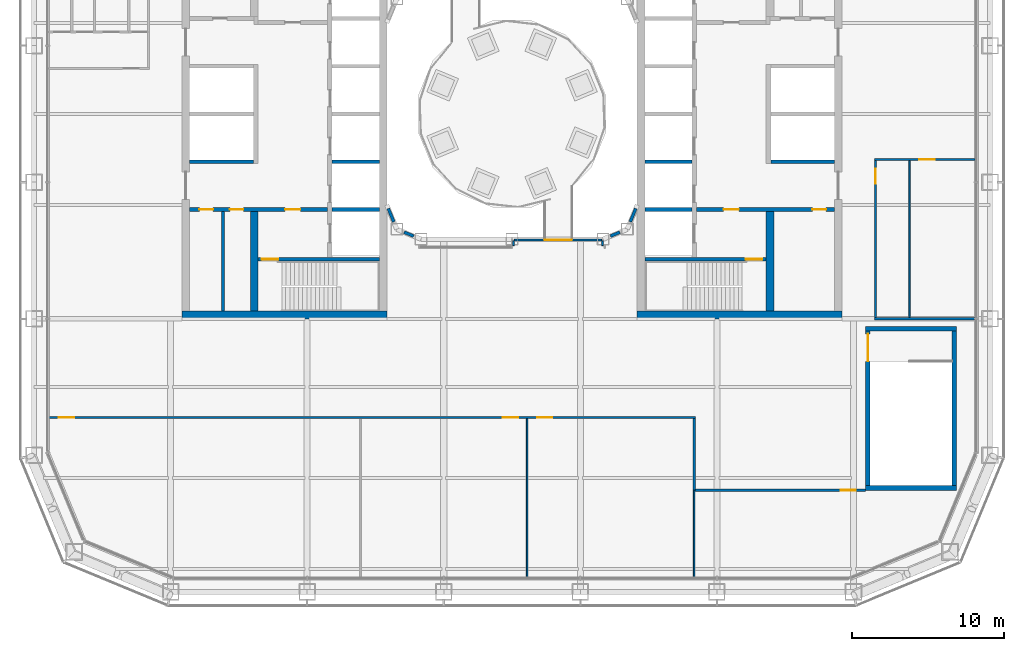
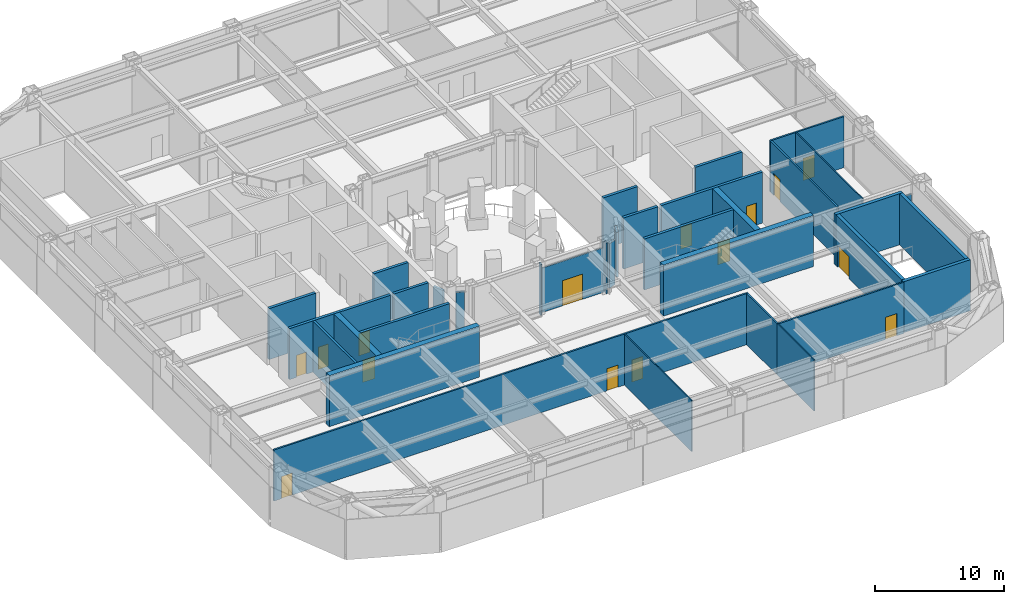
# One storey, part 12 of 25: 35 walls, 15 doors, 15 openings.
"""IFC4 building model written with IfcOpenShell, lengths in metres."""

import ifcopenshell
import ifcopenshell.guid

model = None  # the IFC model being written
_history = None  # IfcOwnerHistory: only IFC2X3 demands one
_inside = {}  # id of a spatial element -> (the spatial element, [elements in it])
_under = {}  # id of a project, library or spatial element -> (it, [spatial elements below it])
_declared = {}  # id of a project -> (the project, [libraries it declares])
_typed = {}  # id of a type object -> (the type object, [elements of that type])
_made_of = {}  # id of a material, layer set ... -> (it, [elements and type objects made of it])


def new_model(schema):
    """Start an empty IFC model of exactly this schema.

    Asked for "IFC4X3", IfcOpenShell would pick the latest addendum, in which some entities
    have other attributes; the version numbers below select the first issue.
    IFC2X3 requires an IfcOwnerHistory on every rooted entity: one is made here for all.
    """
    global model, _history
    if schema == "IFC4X3":
        model = ifcopenshell.file(schema_version=(4, 3, 0, 0))
    else:
        model = ifcopenshell.file(schema=schema)
    _inside.clear()
    _under.clear()
    _declared.clear()
    _typed.clear()
    _made_of.clear()
    _history = None
    if model.schema == "IFC2X3":
        org = make("IfcOrganization", Name="unknown")
        user = make(
            "IfcPersonAndOrganization",
            ThePerson=make("IfcPerson", FamilyName="unknown"),
            TheOrganization=org,
        )
        app = make(
            "IfcApplication",
            ApplicationDeveloper=org,
            Version="unknown",
            ApplicationFullName="unknown",
            ApplicationIdentifier="unknown",
        )
        _history = make(
            "IfcOwnerHistory",
            OwningUser=user,
            OwningApplication=app,
            ChangeAction="ADDED",
            CreationDate=0,
        )
    return model


def make(cls, **values):
    """One entity of the class cls with the attributes given. An attribute that is None is left unset."""
    return model.create_entity(
        cls, **{name: value for name, value in values.items() if value is not None}
    )


def rooted(cls, **values):
    """An entity with a GlobalId (a new one), such as an element, a storey or a relation."""
    return make(cls, GlobalId=ifcopenshell.guid.new(), OwnerHistory=_history, **values)


def si_unit(unit_type, name, prefix=None):
    """IfcSIUnit, for example si_unit("LENGTHUNIT", "METRE", prefix="MILLI")."""
    return make("IfcSIUnit", UnitType=unit_type, Prefix=prefix, Name=name)


def assignment(units):
    """IfcUnitAssignment: the units of a project."""
    return None if units is None else make("IfcUnitAssignment", Units=units)


def point(xyz):
    """IfcCartesianPoint."""
    return None if xyz is None else make("IfcCartesianPoint", Coordinates=xyz)


def direction(xyz):
    """IfcDirection."""
    return None if xyz is None else make("IfcDirection", DirectionRatios=xyz)


def frame(location, z_axis=None, x_axis=None):
    """IfcAxis2Placement3D, a coordinate frame: its origin and axes. An axis left out is left unset."""
    return make(
        "IfcAxis2Placement3D",
        Location=point(location),
        Axis=direction(z_axis),
        RefDirection=direction(x_axis),
    )


def frame_2d(location, x_axis=None):
    """IfcAxis2Placement2D, a coordinate frame in the plane: its origin and x axis."""
    return make(
        "IfcAxis2Placement2D", Location=point(location), RefDirection=direction(x_axis)
    )


def origin():
    """The frame at (0, 0, 0) with its axes left unset."""
    return frame((0.0, 0.0, 0.0))


def place(relative_to, where):
    """IfcLocalPlacement: puts the frame where relative to a parent placement (None: the world)."""
    return make(
        "IfcLocalPlacement", PlacementRelTo=relative_to, RelativePlacement=where
    )


def context(
    kind, dimensions, precision=None, world=None, true_north=None, identifier=None
):
    """IfcGeometricRepresentationContext, for example the 3D "Model" context."""
    return make(
        "IfcGeometricRepresentationContext",
        ContextIdentifier=identifier,
        ContextType=kind,
        CoordinateSpaceDimension=dimensions,
        Precision=precision,
        WorldCoordinateSystem=world,
        TrueNorth=true_north,
    )


def subcontext(parent, identifier, kind, view, scale=None):
    """IfcGeometricRepresentationSubContext, for example "Body" below "Model"."""
    return make(
        "IfcGeometricRepresentationSubContext",
        ContextIdentifier=identifier,
        ContextType=kind,
        ParentContext=parent,
        TargetScale=scale,
        TargetView=view,
    )


def project(units=None, contexts=None):
    """IfcProject with its units and contexts."""
    return rooted(
        "IfcProject",
        Name="project",
        RepresentationContexts=contexts,
        UnitsInContext=assignment(units),
    )


def spatial(cls, under=None, at=None, **own):
    """A site, building, storey or space (cls), placed at a placement, below another one or the project."""
    s = rooted(cls, ObjectPlacement=at, **own)
    if under is not None:
        _under.setdefault(under.id(), (under, []))[1].append(s)
    return s


def profile(cls, at=None, kind="AREA", **sizes):
    """A parametric profile (cls). Its sizes go by their IFC names, for example OverallWidth=200.0."""
    return make(cls, ProfileType=kind, Position=at, **sizes)


def rectangle(**sizes):
    """IfcRectangleProfileDef."""
    return profile("IfcRectangleProfileDef", **sizes)


def extrude(swept, where, along, depth):
    """IfcExtrudedAreaSolid: the profile swept, set in the frame where, extruded along a direction by depth."""
    return make(
        "IfcExtrudedAreaSolid",
        SweptArea=swept,
        Position=where,
        ExtrudedDirection=direction(along),
        Depth=depth,
    )


def shape(context_of_items, identifier, shape_type, items):
    """IfcShapeRepresentation: the items that make up one representation, for example the "Body"."""
    return make(
        "IfcShapeRepresentation",
        ContextOfItems=context_of_items,
        RepresentationIdentifier=identifier,
        RepresentationType=shape_type,
        Items=items,
    )


def material(Name=None, Category=None):
    """IfcMaterial."""
    return make("IfcMaterial", Name=Name, Category=Category)


def layer(
    of_material, thickness, ventilated=None, Name=None, Category=None, Priority=None
):
    """IfcMaterialLayer: one layer of a wall or slab, of a material (None: an air gap)."""
    return make(
        "IfcMaterialLayer",
        Material=of_material,
        LayerThickness=thickness,
        IsVentilated=ventilated,
        Name=Name,
        Category=Category,
        Priority=Priority,
    )


def layer_set(layers, Name=None):
    """IfcMaterialLayerSet."""
    return make("IfcMaterialLayerSet", MaterialLayers=layers, LayerSetName=Name)


def made_of(thing, what):
    """Note that an element or type object is made of a material, layer set ...; save() writes the relation."""
    if what is not None:
        _made_of.setdefault(what.id(), (what, []))[1].append(thing)
    return thing


def type_object(cls, material=None, **own):
    """A type object (cls), such as IfcWallType, which elements share."""
    return made_of(rooted(cls, **own), material)


def element(
    cls,
    number,
    at=None,
    inside=None,
    cuts=None,
    type_object=None,
    material=None,
    context=None,
    identifier="Body",
    shape_type=None,
    held_by="IfcProductDefinitionShape",
    body=None,
    shapes=None,
    **own,
):
    """One element of the class cls, such as IfcWall. Its Tag is "e" and its number.

    at: its placement. inside: the storey or other place that contains it. cuts: it is an
    opening in that element (IfcRelVoidsElement). A single representation is given by context,
    identifier, shape_type and body (its items); several are given by shapes. held_by: the class
    of the entity that holds the representations. save() writes the other relations.
    """
    e = rooted(cls, Tag="e%d" % number, ObjectPlacement=at, **own)
    if body is not None:
        shapes = [shape(context, identifier, shape_type, body)]
    if shapes is not None:
        e.Representation = make(held_by, Representations=shapes)
    if inside is not None:
        _inside.setdefault(inside.id(), (inside, []))[1].append(e)
    if cuts is not None:
        rooted(
            "IfcRelVoidsElement", RelatingBuildingElement=cuts, RelatedOpeningElement=e
        )
    if type_object is not None:
        _typed.setdefault(type_object.id(), (type_object, []))[1].append(e)
    return made_of(e, material)


def fill(opening, filler):
    """IfcRelFillsElement: the door or window that sits in an opening."""
    return rooted(
        "IfcRelFillsElement",
        RelatingOpeningElement=opening,
        RelatedBuildingElement=filler,
    )


def aggregate(whole, parts):
    """IfcRelAggregates: a whole, such as a stair, and the parts it consists of."""
    return rooted("IfcRelAggregates", RelatingObject=whole, RelatedObjects=parts)


def save(model, path):
    """Write the relations noted so far, then the file.

    IfcRelAggregates (storeys below a building ...), IfcRelContainedInSpatialStructure (elements
    in a storey), IfcRelDefinesByType, IfcRelAssociatesMaterial and IfcRelDeclares: one each for
    every whole, place, type object, material and project.
    """
    for whole, parts in _under.values():
        aggregate(whole, parts)
    for where, things in _inside.values():
        rooted(
            "IfcRelContainedInSpatialStructure",
            RelatedElements=things,
            RelatingStructure=where,
        )
    for kind, things in _typed.values():
        rooted("IfcRelDefinesByType", RelatedObjects=things, RelatingType=kind)
    for what, things in _made_of.values():
        rooted("IfcRelAssociatesMaterial", RelatedObjects=things, RelatingMaterial=what)
    for by, libraries in _declared.values():
        rooted("IfcRelDeclares", RelatingContext=by, RelatedDefinitions=libraries)
    model.write(path)


model = new_model("IFC4")

# Units and contexts
model_context = context("Model", 3, precision=1e-05, world=origin(), true_north=direction((0.0, 1.0)))
body_context = subcontext(model_context, "Body", "Model", "MODEL_VIEW")
ifc_project = project(units=[si_unit("LENGTHUNIT", "METRE"), si_unit("AREAUNIT", "SQUARE_METRE"), si_unit("VOLUMEUNIT", "CUBIC_METRE"), si_unit("PLANEANGLEUNIT", "RADIAN"), si_unit("MASSUNIT", "GRAM", prefix="KILO")], contexts=[model_context])

# Site, building, storey
site_placement = place(None, origin())
site = spatial("IfcSite", under=ifc_project, at=site_placement, CompositionType="ELEMENT")
building_placement = place(site_placement, origin())
building = spatial("IfcBuilding", under=site, at=building_placement, Name="Siwar Civic Tower", CompositionType="ELEMENT")
storey_placement = place(building_placement, frame((0.0, 0.0, 17.199951171875)))
storey = spatial("IfcBuildingStorey", under=building, at=storey_placement, Name="L03", CompositionType="ELEMENT", Elevation=17.199951171875)

# Wall
ifc_material_1 = material(Name="Gypsum board on steel studs", Category="steel")
ifc_layer_1 = layer(ifc_material_1, 0.199951171875)
ifc_layer_set_1 = layer_set([ifc_layer_1], Name="Gypsum board on steel studs")
wall_type_1 = type_object("IfcWallType", Name="CORE-PARTITION-200", PredefinedType="PARTITIONING", material=ifc_layer_set_1)
wall_1_placement = place(storey_placement, frame((-19.050048828125, -13.0, 0.0), z_axis=(0.0, 0.0, 1.0), x_axis=(0.0, 1.0, 0.0)))
element("IfcWall", 1, at=wall_1_placement, inside=storey, type_object=wall_type_1, Name="Core partition W", PredefinedType="PARTITIONING", context=body_context, shape_type="SweptSolid", body=[
    extrude(rectangle(XDim=6.574951171875, YDim=0.199951171875, at=frame_2d((3.28759765625, 0.0))), origin(), (0.0, 0.0, 1.0), 4.85009765625),
])

# Wall, openings, doors
ifc_material_2 = material(Name="Concrete C60/75", Category="concrete")
ifc_layer_2 = layer(ifc_material_2, 0.25)
ifc_layer_set_2 = layer_set([ifc_layer_2], Name="Concrete C60/75")
wall_type_2 = type_object("IfcWallType", Name="CORE-WALL-RC250", PredefinedType="SHEAR", material=ifc_layer_set_2)
wall_2_placement = place(storey_placement, frame((-12.14990234375, -6.300048828125, 0.0), z_axis=(0.0, 0.0, 1.0), x_axis=(-1.0, 0.0, 0.0)))
wall_2 = element("IfcWall", 2, at=wall_2_placement, inside=storey, type_object=wall_type_2, Name="Core wall W", PredefinedType="SHEAR", context=body_context, shape_type="SweptSolid", body=[
    extrude(rectangle(XDim=9.10009765625, YDim=0.25, at=frame_2d((4.550048828125, 0.0))), origin(), (0.0, 0.0, 1.0), 4.85009765625),
])
opening_1_placement = place(wall_2_placement, frame((1.800048828125, 0.0, 0.0)))
opening_1 = element("IfcOpeningElement", 3, at=opening_1_placement, cuts=wall_2, Name="Opening L03-CW02", PredefinedType="OPENING", context=body_context, shape_type="SweptSolid", body=[
    extrude(rectangle(XDim=1.0, YDim=2.10009765625, at=frame_2d((0.5, 1.050048828125))), frame((0.0, 0.135009765625, 0.0), z_axis=(0.0, -1.0, 0.0), x_axis=(1.0, 0.0, 0.0)), (0.0, 0.0, 1.0), 0.27001953125),
])
opening_2_placement = place(wall_2_placement, frame((5.550048828125, 0.0, 0.0)))
opening_2 = element("IfcOpeningElement", 4, at=opening_2_placement, cuts=wall_2, Name="Opening L03-CW15", PredefinedType="OPENING", context=body_context, shape_type="SweptSolid", body=[
    extrude(rectangle(XDim=0.89990234375, YDim=2.10009765625, at=frame_2d((0.449951171875, 1.050048828125))), frame((0.0, 0.135009765625, 0.0), z_axis=(0.0, -1.0, 0.0), x_axis=(1.0, 0.0, 0.0)), (0.0, 0.0, 1.0), 0.27001953125),
])
opening_3_placement = place(wall_2_placement, frame((7.550048828125, 0.0, 0.0)))
opening_3 = element("IfcOpeningElement", 5, at=opening_3_placement, cuts=wall_2, Name="Opening L03-CW16", PredefinedType="OPENING", context=body_context, shape_type="SweptSolid", body=[
    extrude(rectangle(XDim=0.89990234375, YDim=2.10009765625, at=frame_2d((0.449951171875, 1.050048828125))), frame((0.0, 0.135009765625, 0.0), z_axis=(0.0, -1.0, 0.0), x_axis=(1.0, 0.0, 0.0)), (0.0, 0.0, 1.0), 0.27001953125),
])
ifc_material_3 = material(Name="Steel door leaf", Category="steel")
door_type_1 = type_object("IfcDoorType", Name="CORE-DOOR-FD30S", OperationType="SINGLE_SWING_LEFT", PredefinedType="DOOR", material=ifc_material_3)
door_1_placement = place(opening_1_placement, origin())
door_1 = element("IfcDoor", 6, at=door_1_placement, inside=storey, type_object=door_type_1, Name="Service lobby door L03-CW02", OperationType="SINGLE_SWING_RIGHT", OverallHeight=2.10009765625, OverallWidth=1.0, PredefinedType="DOOR", context=body_context, shape_type="SweptSolid", body=[
    extrude(rectangle(XDim=1.0, YDim=2.10009765625, at=frame_2d((0.5, 1.050048828125))), frame((0.0, 0.02490234375, 0.0), z_axis=(0.0, -1.0, 0.0), x_axis=(1.0, 0.0, 0.0)), (0.0, 0.0, 1.0), 0.050048828125),
])
fill(opening_1, door_1)
ifc_material_4 = material(Name="Steel door leaf", Category="steel")
door_type_2 = type_object("IfcDoorType", Name="CORE-DOOR-ROOM", OperationType="SINGLE_SWING_LEFT", PredefinedType="DOOR", material=ifc_material_4)
door_2_placement = place(opening_2_placement, origin())
door_2 = element("IfcDoor", 7, at=door_2_placement, inside=storey, type_object=door_type_2, Name="Core room door L03-CW15", OperationType="SINGLE_SWING_LEFT", OverallHeight=2.10009765625, OverallWidth=0.89990234375, PredefinedType="DOOR", context=body_context, shape_type="SweptSolid", body=[
    extrude(rectangle(XDim=0.89990234375, YDim=2.10009765625, at=frame_2d((0.449951171875, 1.050048828125))), frame((0.0, 0.02490234375, 0.0), z_axis=(0.0, -1.0, 0.0), x_axis=(1.0, 0.0, 0.0)), (0.0, 0.0, 1.0), 0.050048828125),
])
fill(opening_2, door_2)
door_3_placement = place(opening_3_placement, origin())
door_3 = element("IfcDoor", 8, at=door_3_placement, inside=storey, type_object=door_type_2, Name="Core room door L03-CW16", OperationType="SINGLE_SWING_RIGHT", OverallHeight=2.10009765625, OverallWidth=0.89990234375, PredefinedType="DOOR", context=body_context, shape_type="SweptSolid", body=[
    extrude(rectangle(XDim=0.89990234375, YDim=2.10009765625, at=frame_2d((0.449951171875, 1.050048828125))), frame((0.0, 0.02490234375, 0.0), z_axis=(0.0, -1.0, 0.0), x_axis=(1.0, 0.0, 0.0)), (0.0, 0.0, 1.0), 0.050048828125),
])
fill(opening_3, door_3)

# Walls
wall_3_placement = place(storey_placement, frame((-17.050048828125, -3.14990234375, 0.0), z_axis=(0.0, 0.0, 1.0), x_axis=(-1.0, 0.0, 0.0)))
element("IfcWall", 9, at=wall_3_placement, inside=storey, type_object=wall_type_2, Name="Core wall W", PredefinedType="SHEAR", context=body_context, shape_type="SweptSolid", body=[
    extrude(rectangle(XDim=4.199951171875, YDim=0.25, at=frame_2d((2.10009765625, 0.0))), origin(), (0.0, 0.0, 1.0), 4.85009765625),
])
for number, where, z_axis, x_axis, name in (
    (10, (-8.75, -3.14990234375, 0.0), (0.0, 0.0, 1.0), (-1.0, 0.0, 0.0), "Core wall W"),
    (11, (-8.75, -6.300048828125, 0.0), (0.0, 0.0, 1.0), (-1.0, 0.0, 0.0), "Core wall W"),
):
    element("IfcWall", number, at=place(storey_placement, frame(where, z_axis=z_axis, x_axis=x_axis)), inside=storey, type_object=wall_type_2, Name=name, PredefinedType="SHEAR", context=body_context, shape_type="SweptSolid", body=[
        extrude(rectangle(XDim=3.10009765625, YDim=0.25, at=frame_2d((1.550048828125, 0.0))), origin(), (0.0, 0.0, 1.0), 4.85009765625),
    ])

# Wall, opening, door
wall_4_placement = place(storey_placement, frame((-8.75, -9.574951171875, 0.0), z_axis=(0.0, 0.0, 1.0), x_axis=(-1.0, 0.0, 0.0)))
wall_4 = element("IfcWall", 12, at=wall_4_placement, inside=storey, type_object=wall_type_2, Name="Core wall W", PredefinedType="SHEAR", context=body_context, shape_type="SweptSolid", body=[
    extrude(rectangle(XDim=8.0, YDim=0.25, at=frame_2d((4.0, 0.0))), origin(), (0.0, 0.0, 1.0), 4.85009765625),
])
opening_4_placement = place(wall_4_placement, frame((6.64990234375, 0.0, 0.0)))
opening_4 = element("IfcOpeningElement", 13, at=opening_4_placement, cuts=wall_4, Name="Opening L03-CW04", PredefinedType="OPENING", context=body_context, shape_type="SweptSolid", body=[
    extrude(rectangle(XDim=1.10009765625, YDim=2.10009765625, at=frame_2d((0.550048828125, 1.050048828125))), frame((0.0, 0.135009765625, 0.0), z_axis=(0.0, -1.0, 0.0), x_axis=(1.0, 0.0, 0.0)), (0.0, 0.0, 1.0), 0.27001953125),
])
ifc_material_5 = material(Name="Steel door leaf", Category="steel")
door_type_3 = type_object("IfcDoorType", Name="CORE-DOOR-FD60S", OperationType="SINGLE_SWING_LEFT", PredefinedType="DOOR", material=ifc_material_5)
door_4_placement = place(opening_4_placement, origin())
door_4 = element("IfcDoor", 14, at=door_4_placement, inside=storey, type_object=door_type_3, Name="Stair door L03-CW04", OperationType="SINGLE_SWING_LEFT", OverallHeight=2.10009765625, OverallWidth=1.10009765625, PredefinedType="DOOR", context=body_context, shape_type="SweptSolid", body=[
    extrude(rectangle(XDim=1.10009765625, YDim=2.10009765625, at=frame_2d((0.550048828125, 1.050048828125))), frame((0.0, 0.02490234375, 0.0), z_axis=(0.0, -1.0, 0.0), x_axis=(1.0, 0.0, 0.0)), (0.0, 0.0, 1.0), 0.050048828125),
])
fill(opening_4, door_4)

# Wall, openings, doors
wall_5_placement = place(storey_placement, frame((12.14990234375, -6.300048828125, 0.0), z_axis=(0.0, 0.0, 1.0), x_axis=(1.0, 0.0, 0.0)))
wall_5 = element("IfcWall", 15, at=wall_5_placement, inside=storey, type_object=wall_type_2, Name="Core wall E", PredefinedType="SHEAR", context=body_context, shape_type="SweptSolid", body=[
    extrude(rectangle(XDim=9.10009765625, YDim=0.25, at=frame_2d((4.550048828125, 0.0))), origin(), (0.0, 0.0, 1.0), 4.85009765625),
])
opening_5_placement = place(wall_5_placement, frame((1.800048828125, 0.0, 0.0)))
opening_5 = element("IfcOpeningElement", 16, at=opening_5_placement, cuts=wall_5, Name="Opening L03-CE02", PredefinedType="OPENING", context=body_context, shape_type="SweptSolid", body=[
    extrude(rectangle(XDim=1.0, YDim=2.10009765625, at=frame_2d((0.5, 1.050048828125))), frame((0.0, 0.135009765625, 0.0), z_axis=(0.0, -1.0, 0.0), x_axis=(1.0, 0.0, 0.0)), (0.0, 0.0, 1.0), 0.27001953125),
])
opening_6_placement = place(wall_5_placement, frame((7.64990234375, 0.0, 0.0)))
opening_6 = element("IfcOpeningElement", 17, at=opening_6_placement, cuts=wall_5, Name="Opening L03-CE15", PredefinedType="OPENING", context=body_context, shape_type="SweptSolid", body=[
    extrude(rectangle(XDim=0.89990234375, YDim=2.10009765625, at=frame_2d((0.449951171875, 1.050048828125))), frame((0.0, 0.135009765625, 0.0), z_axis=(0.0, -1.0, 0.0), x_axis=(1.0, 0.0, 0.0)), (0.0, 0.0, 1.0), 0.27001953125),
])
door_5_placement = place(opening_5_placement, origin())
door_5 = element("IfcDoor", 18, at=door_5_placement, inside=storey, type_object=door_type_1, Name="Service lobby door L03-CE02", OperationType="SINGLE_SWING_LEFT", OverallHeight=2.10009765625, OverallWidth=1.0, PredefinedType="DOOR", context=body_context, shape_type="SweptSolid", body=[
    extrude(rectangle(XDim=1.0, YDim=2.10009765625, at=frame_2d((0.5, 1.050048828125))), frame((0.0, 0.02490234375, 0.0), z_axis=(0.0, -1.0, 0.0), x_axis=(1.0, 0.0, 0.0)), (0.0, 0.0, 1.0), 0.050048828125),
])
fill(opening_5, door_5)
door_6_placement = place(opening_6_placement, origin())
door_6 = element("IfcDoor", 19, at=door_6_placement, inside=storey, type_object=door_type_2, Name="Core room door L03-CE15", OperationType="SINGLE_SWING_RIGHT", OverallHeight=2.10009765625, OverallWidth=0.89990234375, PredefinedType="DOOR", context=body_context, shape_type="SweptSolid", body=[
    extrude(rectangle(XDim=0.89990234375, YDim=2.10009765625, at=frame_2d((0.449951171875, 1.050048828125))), frame((0.0, 0.02490234375, 0.0), z_axis=(0.0, -1.0, 0.0), x_axis=(1.0, 0.0, 0.0)), (0.0, 0.0, 1.0), 0.050048828125),
])
fill(opening_6, door_6)

# Walls
wall_6_placement = place(storey_placement, frame((17.050048828125, -3.14990234375, 0.0), z_axis=(0.0, 0.0, 1.0), x_axis=(1.0, 0.0, 0.0)))
element("IfcWall", 20, at=wall_6_placement, inside=storey, type_object=wall_type_2, Name="Core wall E", PredefinedType="SHEAR", context=body_context, shape_type="SweptSolid", body=[
    extrude(rectangle(XDim=4.199951171875, YDim=0.25, at=frame_2d((2.10009765625, 0.0))), origin(), (0.0, 0.0, 1.0), 4.85009765625),
])
for number, where, z_axis, x_axis, name in (
    (21, (8.75, -3.14990234375, 0.0), (0.0, 0.0, 1.0), (1.0, 0.0, 0.0), "Core wall E"),
    (22, (8.75, -6.300048828125, 0.0), (0.0, 0.0, 1.0), (1.0, 0.0, 0.0), "Core wall E"),
):
    element("IfcWall", number, at=place(storey_placement, frame(where, z_axis=z_axis, x_axis=x_axis)), inside=storey, type_object=wall_type_2, Name=name, PredefinedType="SHEAR", context=body_context, shape_type="SweptSolid", body=[
        extrude(rectangle(XDim=3.10009765625, YDim=0.25, at=frame_2d((1.550048828125, 0.0))), origin(), (0.0, 0.0, 1.0), 4.85009765625),
    ])

# Wall, opening, door
wall_7_placement = place(storey_placement, frame((8.75, -9.574951171875, 0.0), z_axis=(0.0, 0.0, 1.0), x_axis=(1.0, 0.0, 0.0)))
wall_7 = element("IfcWall", 23, at=wall_7_placement, inside=storey, type_object=wall_type_2, Name="Core wall E", PredefinedType="SHEAR", context=body_context, shape_type="SweptSolid", body=[
    extrude(rectangle(XDim=8.0, YDim=0.25, at=frame_2d((4.0, 0.0))), origin(), (0.0, 0.0, 1.0), 4.85009765625),
])
opening_7_placement = place(wall_7_placement, frame((6.64990234375, 0.0, 0.0)))
opening_7 = element("IfcOpeningElement", 24, at=opening_7_placement, cuts=wall_7, Name="Opening L03-CE04", PredefinedType="OPENING", context=body_context, shape_type="SweptSolid", body=[
    extrude(rectangle(XDim=1.10009765625, YDim=2.10009765625, at=frame_2d((0.550048828125, 1.050048828125))), frame((0.0, 0.135009765625, 0.0), z_axis=(0.0, -1.0, 0.0), x_axis=(1.0, 0.0, 0.0)), (0.0, 0.0, 1.0), 0.27001953125),
])
door_7_placement = place(opening_7_placement, origin())
door_7 = element("IfcDoor", 25, at=door_7_placement, inside=storey, type_object=door_type_3, Name="Stair door L03-CE04", OperationType="SINGLE_SWING_RIGHT", OverallHeight=2.10009765625, OverallWidth=1.10009765625, PredefinedType="DOOR", context=body_context, shape_type="SweptSolid", body=[
    extrude(rectangle(XDim=1.10009765625, YDim=2.10009765625, at=frame_2d((0.550048828125, 1.050048828125))), frame((0.0, 0.02490234375, 0.0), z_axis=(0.0, -1.0, 0.0), x_axis=(1.0, 0.0, 0.0)), (0.0, 0.0, 1.0), 0.050048828125),
])
fill(opening_7, door_7)

# Walls
ifc_material_6 = material(Name="Concrete C60/75", Category="concrete")
ifc_layer_3 = layer(ifc_material_6, 0.5)
ifc_layer_set_3 = layer_set([ifc_layer_3], Name="Concrete C60/75")
wall_type_3 = type_object("IfcWallType", Name="CORE-WALL-RC500", PredefinedType="SHEAR", material=ifc_layer_set_3)
wall_8_placement = place(storey_placement, frame((-17.0, -13.0, 0.0), z_axis=(0.0, 0.0, 1.0), x_axis=(0.0, 1.0, 0.0)))
element("IfcWall", 26, at=wall_8_placement, inside=storey, type_object=wall_type_3, Name="Core wall W", PredefinedType="SHEAR", context=body_context, shape_type="SweptSolid", body=[
    extrude(rectangle(XDim=6.574951171875, YDim=0.5, at=frame_2d((3.28759765625, 0.0))), origin(), (0.0, 0.0, 1.0), 4.85009765625),
])
wall_9_placement = place(storey_placement, frame((-8.25, -13.25, 0.0), z_axis=(0.0, 0.0, 1.0), x_axis=(-1.0, 0.0, 0.0)))
element("IfcWall", 27, at=wall_9_placement, inside=storey, type_object=wall_type_3, Name="Core wall W", PredefinedType="SHEAR", context=body_context, shape_type="SweptSolid", body=[
    extrude(rectangle(XDim=13.5, YDim=0.5, at=frame_2d((6.75, 0.0))), origin(), (0.0, 0.0, 1.0), 4.85009765625),
])
wall_10_placement = place(storey_placement, frame((17.0, -13.0, 0.0), z_axis=(0.0, 0.0, 1.0), x_axis=(0.0, 1.0, 0.0)))
element("IfcWall", 28, at=wall_10_placement, inside=storey, type_object=wall_type_3, Name="Core wall E", PredefinedType="SHEAR", context=body_context, shape_type="SweptSolid", body=[
    extrude(rectangle(XDim=6.574951171875, YDim=0.5, at=frame_2d((3.28759765625, 0.0))), origin(), (0.0, 0.0, 1.0), 4.85009765625),
])
wall_11_placement = place(storey_placement, frame((8.25, -13.25, 0.0), z_axis=(0.0, 0.0, 1.0), x_axis=(1.0, 0.0, 0.0)))
element("IfcWall", 29, at=wall_11_placement, inside=storey, type_object=wall_type_3, Name="Core wall E", PredefinedType="SHEAR", context=body_context, shape_type="SweptSolid", body=[
    extrude(rectangle(XDim=13.5, YDim=0.5, at=frame_2d((6.75, 0.0))), origin(), (0.0, 0.0, 1.0), 4.85009765625),
])

# Wall, opening, door
ifc_material_7 = material(Name="Gypsum board on steel studs", Category="steel")
ifc_layer_4 = layer(ifc_material_7, 0.14990234375)
ifc_layer_set_4 = layer_set([ifc_layer_4], Name="Gypsum board on steel studs")
wall_type_4 = type_object("IfcWallType", Name="CORRIDOR PARTITION 150 EI 30", PredefinedType="PARTITIONING", material=ifc_layer_set_4)
wall_12_placement = place(storey_placement, frame((12.050048828125, -24.800048828125, 0.0), z_axis=(0.0, 0.0, 1.0), x_axis=(1.0, 0.0, 0.0)))
wall_12 = element("IfcWall", 30, at=wall_12_placement, inside=storey, type_object=wall_type_4, Name="L03/wall/P01", PredefinedType="PARTITIONING", context=body_context, shape_type="SweptSolid", body=[
    extrude(rectangle(XDim=11.25, YDim=0.14990234375, at=frame_2d((5.625, 0.0))), origin(), (0.0, 0.0, 1.0), 4.85009765625),
])
opening_8_placement = place(wall_12_placement, frame((9.60009765625, 0.0, 0.0)))
opening_8 = element("IfcOpeningElement", 31, at=opening_8_placement, cuts=wall_12, Name="Opening D1", PredefinedType="OPENING", context=body_context, shape_type="SweptSolid", body=[
    extrude(rectangle(XDim=1.0, YDim=2.10009765625, at=frame_2d((0.5, 1.050048828125))), frame((0.0, 0.0849609375, 0.0), z_axis=(0.0, -1.0, 0.0), x_axis=(1.0, 0.0, 0.0)), (0.0, 0.0, 1.0), 0.169921875),
])
ifc_material_8 = material(Name="Timber, painted", Category="wood")
door_type_4 = type_object("IfcDoorType", Name="DOOR 1000 X 2100 FD30", OperationType="SINGLE_SWING_LEFT", PredefinedType="DOOR", material=ifc_material_8)
door_8_placement = place(opening_8_placement, origin())
door_8 = element("IfcDoor", 32, at=door_8_placement, inside=storey, type_object=door_type_4, Name="L03-D08", OperationType="SINGLE_SWING_RIGHT", OverallHeight=2.10009765625, OverallWidth=1.0, PredefinedType="DOOR", context=body_context, shape_type="SweptSolid", body=[
    extrude(rectangle(XDim=1.0, YDim=2.10009765625, at=frame_2d((0.5, 1.050048828125))), frame((0.0, 0.02490234375, 0.0), z_axis=(0.0, -1.0, 0.0), x_axis=(1.0, 0.0, 0.0)), (0.0, 0.0, 1.0), 0.050048828125),
])
fill(opening_8, door_8)

# Wall, openings, doors
wall_13_placement = place(storey_placement, frame((-30.510009765625, -20.0, 0.0), z_axis=(0.0, 0.0, 1.0), x_axis=(1.0, 0.0, 0.0)))
wall_13 = element("IfcWall", 33, at=wall_13_placement, inside=storey, type_object=wall_type_4, Name="L03/wall/P02", PredefinedType="PARTITIONING", context=body_context, shape_type="SweptSolid", body=[
    extrude(rectangle(XDim=42.5849609375, YDim=0.14990234375, at=frame_2d((21.29248046875, 0.0))), origin(), (0.0, 0.0, 1.0), 4.85009765625),
])
opening_9_placement = place(wall_13_placement, frame((0.64990234375, 0.0, 0.0)))
opening_9 = element("IfcOpeningElement", 34, at=opening_9_placement, cuts=wall_13, Name="Opening D1", PredefinedType="OPENING", context=body_context, shape_type="SweptSolid", body=[
    extrude(rectangle(XDim=1.0, YDim=2.10009765625, at=frame_2d((0.5, 1.050048828125))), frame((0.0, 0.0849609375, 0.0), z_axis=(0.0, -1.0, 0.0), x_axis=(1.0, 0.0, 0.0)), (0.0, 0.0, 1.0), 0.169921875),
])
opening_10_placement = place(wall_13_placement, frame((29.909912109375, 0.0, 0.0)))
opening_10 = element("IfcOpeningElement", 35, at=opening_10_placement, cuts=wall_13, Name="Opening D1", PredefinedType="OPENING", context=body_context, shape_type="SweptSolid", body=[
    extrude(rectangle(XDim=1.0, YDim=2.10009765625, at=frame_2d((0.5, 1.050048828125))), frame((0.0, 0.0849609375, 0.0), z_axis=(0.0, -1.0, 0.0), x_axis=(1.0, 0.0, 0.0)), (0.0, 0.0, 1.0), 0.169921875),
])
opening_11_placement = place(wall_13_placement, frame((32.159912109375, 0.0, 0.0)))
opening_11 = element("IfcOpeningElement", 36, at=opening_11_placement, cuts=wall_13, Name="Opening D1", PredefinedType="OPENING", context=body_context, shape_type="SweptSolid", body=[
    extrude(rectangle(XDim=1.0, YDim=2.10009765625, at=frame_2d((0.5, 1.050048828125))), frame((0.0, 0.0849609375, 0.0), z_axis=(0.0, -1.0, 0.0), x_axis=(1.0, 0.0, 0.0)), (0.0, 0.0, 1.0), 0.169921875),
])
door_9_placement = place(opening_9_placement, origin())
door_9 = element("IfcDoor", 37, at=door_9_placement, inside=storey, type_object=door_type_4, Name="L03-D05", OperationType="SINGLE_SWING_LEFT", OverallHeight=2.10009765625, OverallWidth=1.0, PredefinedType="DOOR", context=body_context, shape_type="SweptSolid", body=[
    extrude(rectangle(XDim=1.0, YDim=2.10009765625, at=frame_2d((0.5, 1.050048828125))), frame((0.0, 0.02490234375, 0.0), z_axis=(0.0, -1.0, 0.0), x_axis=(1.0, 0.0, 0.0)), (0.0, 0.0, 1.0), 0.050048828125),
])
fill(opening_9, door_9)
door_10_placement = place(opening_10_placement, origin())
door_10 = element("IfcDoor", 38, at=door_10_placement, inside=storey, type_object=door_type_4, Name="L03-D06", OperationType="SINGLE_SWING_RIGHT", OverallHeight=2.10009765625, OverallWidth=1.0, PredefinedType="DOOR", context=body_context, shape_type="SweptSolid", body=[
    extrude(rectangle(XDim=1.0, YDim=2.10009765625, at=frame_2d((0.5, 1.050048828125))), frame((0.0, 0.02490234375, 0.0), z_axis=(0.0, -1.0, 0.0), x_axis=(1.0, 0.0, 0.0)), (0.0, 0.0, 1.0), 0.050048828125),
])
fill(opening_10, door_10)
door_11_placement = place(opening_11_placement, origin())
door_11 = element("IfcDoor", 39, at=door_11_placement, inside=storey, type_object=door_type_4, Name="L03-D07", OperationType="SINGLE_SWING_LEFT", OverallHeight=2.10009765625, OverallWidth=1.0, PredefinedType="DOOR", context=body_context, shape_type="SweptSolid", body=[
    extrude(rectangle(XDim=1.0, YDim=2.10009765625, at=frame_2d((0.5, 1.050048828125))), frame((0.0, 0.02490234375, 0.0), z_axis=(0.0, -1.0, 0.0), x_axis=(1.0, 0.0, 0.0)), (0.0, 0.0, 1.0), 0.050048828125),
])
fill(opening_11, door_11)

# Wall
wall_14_placement = place(storey_placement, frame((23.875, -13.5, 0.0), z_axis=(0.0, 0.0, 1.0), x_axis=(1.0, 0.0, 0.0)))
element("IfcWall", 40, at=wall_14_placement, inside=storey, type_object=wall_type_4, Name="L03/wall/P03", PredefinedType="PARTITIONING", context=body_context, shape_type="SweptSolid", body=[
    extrude(rectangle(XDim=6.635009765625, YDim=0.14990234375, at=frame_2d((3.3173828125, 0.0))), origin(), (0.0, 0.0, 1.0), 3.85009765625),
])

# Wall, opening, door
wall_15_placement = place(storey_placement, frame((23.875, -3.0, 0.0), z_axis=(0.0, 0.0, 1.0), x_axis=(1.0, 0.0, 0.0)))
wall_15 = element("IfcWall", 41, at=wall_15_placement, inside=storey, type_object=wall_type_4, Name="L03/wall/P04", PredefinedType="PARTITIONING", context=body_context, shape_type="SweptSolid", body=[
    extrude(rectangle(XDim=6.635009765625, YDim=0.14990234375, at=frame_2d((3.3173828125, 0.0))), origin(), (0.0, 0.0, 1.0), 4.85009765625),
])
opening_12_placement = place(wall_15_placement, frame((2.97509765625, 0.0, 0.0)))
opening_12 = element("IfcOpeningElement", 42, at=opening_12_placement, cuts=wall_15, Name="Opening D1", PredefinedType="OPENING", context=body_context, shape_type="SweptSolid", body=[
    extrude(rectangle(XDim=1.0, YDim=2.10009765625, at=frame_2d((0.5, 1.050048828125))), frame((0.0, 0.0849609375, 0.0), z_axis=(0.0, -1.0, 0.0), x_axis=(1.0, 0.0, 0.0)), (0.0, 0.0, 1.0), 0.169921875),
])
door_12_placement = place(opening_12_placement, origin())
door_12 = element("IfcDoor", 43, at=door_12_placement, inside=storey, type_object=door_type_4, Name="L03-D15", OperationType="SINGLE_SWING_LEFT", OverallHeight=2.10009765625, OverallWidth=1.0, PredefinedType="DOOR", context=body_context, shape_type="SweptSolid", body=[
    extrude(rectangle(XDim=1.0, YDim=2.10009765625, at=frame_2d((0.5, 1.050048828125))), frame((0.0, 0.02490234375, 0.0), z_axis=(0.0, -1.0, 0.0), x_axis=(1.0, 0.0, 0.0)), (0.0, 0.0, 1.0), 0.050048828125),
])
fill(opening_12, door_12)

# Wall
wall_16_placement = place(storey_placement, frame((12.0, -24.800048828125, 0.0), z_axis=(0.0, 0.0, 1.0), x_axis=(0.0, 1.0, 0.0)))
element("IfcWall", 44, at=wall_16_placement, inside=storey, type_object=wall_type_4, Name="L03/wall/P24", PredefinedType="PARTITIONING", context=body_context, shape_type="SweptSolid", body=[
    extrude(rectangle(XDim=4.72509765625, YDim=0.14990234375, at=frame_2d((2.362548828125, 0.0))), origin(), (0.0, 0.0, 1.0), 4.85009765625),
])

# Wall, opening, door
wall_17_placement = place(storey_placement, frame((23.949951171875, -13.425048828125, 0.0), z_axis=(0.0, 0.0, 1.0), x_axis=(0.0, 1.0, 0.0)))
wall_17 = element("IfcWall", 45, at=wall_17_placement, inside=storey, type_object=wall_type_4, Name="L03/wall/P25", PredefinedType="PARTITIONING", context=body_context, shape_type="SweptSolid", body=[
    extrude(rectangle(XDim=10.35009765625, YDim=0.14990234375, at=frame_2d((5.175048828125, 0.0))), origin(), (0.0, 0.0, 1.0), 4.85009765625),
])
opening_13_placement = place(wall_17_placement, frame((8.824951171875, 0.0, 0.0)))
opening_13 = element("IfcOpeningElement", 46, at=opening_13_placement, cuts=wall_17, Name="Opening D3", PredefinedType="OPENING", context=body_context, shape_type="SweptSolid", body=[
    extrude(rectangle(XDim=1.0, YDim=2.10009765625, at=frame_2d((0.5, 1.050048828125))), frame((0.0, 0.0849609375, 0.0), z_axis=(0.0, -1.0, 0.0), x_axis=(1.0, 0.0, 0.0)), (0.0, 0.0, 1.0), 0.169921875),
])
ifc_material_9 = material(Name="Timber, painted", Category="wood")
door_type_5 = type_object("IfcDoorType", Name="DOOR 1000 X 2100 WC", OperationType="SINGLE_SWING_LEFT", PredefinedType="DOOR", material=ifc_material_9)
door_13_placement = place(opening_13_placement, origin())
door_13 = element("IfcDoor", 47, at=door_13_placement, inside=storey, type_object=door_type_5, Name="L03-D14", OperationType="SINGLE_SWING_RIGHT", OverallHeight=2.10009765625, OverallWidth=1.0, PredefinedType="DOOR", context=body_context, shape_type="SweptSolid", body=[
    extrude(rectangle(XDim=1.0, YDim=2.10009765625, at=frame_2d((0.5, 1.050048828125))), frame((0.0, 0.02490234375, 0.0), z_axis=(0.0, -1.0, 0.0), x_axis=(1.0, 0.0, 0.0)), (0.0, 0.0, 1.0), 0.050048828125),
])
fill(opening_13, door_13)

# Walls
ifc_material_10 = material(Name="Aluminium clad insulated panel", Category="aluminium")
ifc_layer_5 = layer(ifc_material_10, 0.1201171875)
ifc_layer_set_5 = layer_set([ifc_layer_5], Name="Aluminium clad insulated panel")
wall_type_5 = type_object("IfcWallType", Name="ENV-WALL-BAL", PredefinedType="STANDARD", material=ifc_layer_set_5)
for number, where, z_axis, x_axis, name in (
    (48, (0.094970703125, -8.669921875, 0.0), (0.0, 0.0, 1.0), (0.0, 1.0, 0.0), "Balcony door wall return WS"),
    (49, (5.95654296875, -8.669921875, 0.0), (0.0, 0.0, 1.0), (0.0, 1.0, 0.0), "Balcony door wall return WS"),
):
    element("IfcWall", number, at=place(storey_placement, frame(where, z_axis=z_axis, x_axis=x_axis)), inside=storey, type_object=wall_type_5, Name=name, PredefinedType="STANDARD", context=body_context, shape_type="SweptSolid", body=[
        extrude(rectangle(XDim=0.2998046875, YDim=0.1201171875, at=frame_2d((0.14990234375, 0.0))), origin(), (0.0, 0.0, 1.0), 4.85009765625),
    ])

# Wall, opening, door
wall_18_placement = place(storey_placement, frame((0.155029296875, -8.31005859375, 0.0), z_axis=(0.0, 0.0, 1.0), x_axis=(1.0, 0.0, 0.0)))
wall_18 = element("IfcWall", 50, at=wall_18_placement, inside=storey, type_object=wall_type_5, Name="Balcony door wall WS", PredefinedType="STANDARD", context=body_context, shape_type="SweptSolid", body=[
    extrude(rectangle(XDim=5.741455078125, YDim=0.1201171875, at=frame_2d((2.87060546875, 0.0))), origin(), (0.0, 0.0, 1.0), 4.22998046875),
])
opening_14_placement = place(wall_18_placement, frame((1.99560546875, 0.0, 0.0)))
opening_14 = element("IfcOpeningElement", 51, at=opening_14_placement, cuts=wall_18, Name="Opening D-TR", PredefinedType="OPENING", context=body_context, shape_type="SweptSolid", body=[
    extrude(rectangle(XDim=1.800048828125, YDim=2.39990234375, at=frame_2d((0.89990234375, 1.199951171875))), frame((0.0, 0.070068359375, 0.0), z_axis=(0.0, -1.0, 0.0), x_axis=(1.0, 0.0, 0.0)), (0.0, 0.0, 1.0), 0.14013671875),
])
ifc_material_11 = material(Name="Aluminium and glass", Category="aluminium")
door_type_6 = type_object("IfcDoorType", Name="ENV-DOOR-TERRACE", OperationType="DOUBLE_DOOR_SINGLE_SWING", PredefinedType="DOOR", material=ifc_material_11)
door_14_placement = place(opening_14_placement, origin())
door_14 = element("IfcDoor", 52, at=door_14_placement, inside=storey, type_object=door_type_6, Name="Terrace door S", OperationType="DOUBLE_DOOR_SINGLE_SWING", OverallHeight=2.39990234375, OverallWidth=1.800048828125, PredefinedType="DOOR", context=body_context, shape_type="SweptSolid", body=[
    extrude(rectangle(XDim=1.800048828125, YDim=2.39990234375, at=frame_2d((0.89990234375, 1.199951171875))), frame((0.0, 0.02490234375, 0.0), z_axis=(0.0, -1.0, 0.0), x_axis=(1.0, 0.0, 0.0)), (0.0, 0.0, 1.0), 0.050048828125),
])
fill(opening_14, door_14)

# Walls
ifc_material_12 = material(Name="Aluminium clad insulated panel", Category="aluminium")
ifc_layer_6 = layer(ifc_material_12, 0.199951171875)
ifc_layer_set_6 = layer_set([ifc_layer_6], Name="Aluminium clad insulated panel")
wall_type_6 = type_object("IfcWallType", Name="ENV-WALL-WELL", PredefinedType="STANDARD", material=ifc_layer_set_6)
wall_19_placement = place(storey_placement, frame((6.48291015625, -8.050048828125, 0.0), z_axis=(0.0, 0.0, 1.0), x_axis=(0.923854141361, 0.382744726273, 0.0)))
element("IfcWall", 53, at=wall_19_placement, inside=storey, type_object=wall_type_6, Name="Light well corner wall SE1", PredefinedType="STANDARD", context=body_context, shape_type="SweptSolid", body=[
    extrude(rectangle(XDim=0.6767578125, YDim=0.199951171875, at=frame_2d((0.33837890625, 0.0))), origin(), (0.0, 0.0, 1.0), 4.22998046875),
])
for number, where, z_axis, x_axis, name in (
    (54, (7.791015625, -7.108154296875, 0.0), (0.0, 0.0, 1.0), (0.382624318388, 0.923904016107, 0.0), "Light well corner wall SE2"),
    (55, (-8.154296875, -6.23095703125, 0.0), (0.0, 0.0, 1.0), (0.382624318388, -0.923904016107, 0.0), "Light well corner wall SW1"),
):
    element("IfcWall", number, at=place(storey_placement, frame(where, z_axis=z_axis, x_axis=x_axis)), inside=storey, type_object=wall_type_6, Name=name, PredefinedType="STANDARD", context=body_context, shape_type="SweptSolid", body=[
        extrude(rectangle(XDim=0.949462890625, YDim=0.199951171875, at=frame_2d((0.474609375, 0.0))), origin(), (0.0, 0.0, 1.0), 4.22998046875),
    ])
wall_20_placement = place(storey_placement, frame((-7.108154296875, -7.791015625, 0.0), z_axis=(0.0, 0.0, 1.0), x_axis=(0.923854141361, -0.382744726273, 0.0)))
element("IfcWall", 56, at=wall_20_placement, inside=storey, type_object=wall_type_6, Name="Light well corner wall SW2", PredefinedType="STANDARD", context=body_context, shape_type="SweptSolid", body=[
    extrude(rectangle(XDim=0.6767578125, YDim=0.199951171875, at=frame_2d((0.33837890625, 0.0))), origin(), (0.0, 0.0, 1.0), 4.22998046875),
])

# Wall, opening, door
ifc_material_13 = material(Name="Concrete C60/75", Category="concrete")
ifc_layer_7 = layer(ifc_material_13, 0.300048828125)
ifc_layer_set_7 = layer_set([ifc_layer_7], Name="Concrete C60/75")
wall_type_7 = type_object("IfcWallType", Name="GND-ES-WALL", PredefinedType="SHEAR", material=ifc_layer_set_7)
wall_21_placement = place(storey_placement, frame((23.449951171875, -14.300048828125, 0.0), z_axis=(0.0, 0.0, 1.0), x_axis=(0.0, -1.0, 0.0)))
wall_21 = element("IfcWall", 57, at=wall_21_placement, inside=storey, type_object=wall_type_7, Name="Stair wall ST6", PredefinedType="SHEAR", context=body_context, shape_type="SweptSolid", body=[
    extrude(rectangle(XDim=10.199951171875, YDim=0.300048828125, at=frame_2d((5.10009765625, 0.0))), origin(), (0.0, 0.0, 1.0), 4.85009765625),
])
opening_15_placement = place(wall_21_placement, frame((0.199951171875, 0.0, 0.0)))
opening_15 = element("IfcOpeningElement", 58, at=opening_15_placement, cuts=wall_21, Name="Opening SX1", PredefinedType="OPENING", context=body_context, shape_type="SweptSolid", body=[
    extrude(rectangle(XDim=1.800048828125, YDim=2.10009765625, at=frame_2d((0.89990234375, 1.050048828125))), frame((0.0, 0.16015625, 0.0), z_axis=(0.0, -1.0, 0.0), x_axis=(1.0, 0.0, 0.0)), (0.0, 0.0, 1.0), 0.320068359375),
])
ifc_material_14 = material(Name="Steel door leaf", Category="steel")
door_type_7 = type_object("IfcDoorType", Name="GND-ES-DOOR", OperationType="DOUBLE_DOOR_SINGLE_SWING", PredefinedType="DOOR", material=ifc_material_14)
door_15_placement = place(opening_15_placement, origin())
door_15 = element("IfcDoor", 59, at=door_15_placement, inside=storey, type_object=door_type_7, Name="Stair door ST6", OperationType="DOUBLE_DOOR_SINGLE_SWING", OverallHeight=2.10009765625, OverallWidth=1.800048828125, PredefinedType="DOOR", context=body_context, shape_type="SweptSolid", body=[
    extrude(rectangle(XDim=1.800048828125, YDim=2.10009765625, at=frame_2d((0.89990234375, 1.050048828125))), frame((0.0, 0.02490234375, 0.0), z_axis=(0.0, -1.0, 0.0), x_axis=(1.0, 0.0, 0.0)), (0.0, 0.0, 1.0), 0.050048828125),
])
fill(opening_15, door_15)

# Walls
for number, where, z_axis, x_axis, name in (
    (60, (29.300048828125, -24.64990234375, 0.0), (0.0, 0.0, 1.0), (-1.0, 0.0, 0.0), "Stair wall ST6"),
    (61, (29.300048828125, -14.14990234375, 0.0), (0.0, 0.0, 1.0), (-1.0, 0.0, 0.0), "Stair wall ST6"),
):
    element("IfcWall", number, at=place(storey_placement, frame(where, z_axis=z_axis, x_axis=x_axis)), inside=storey, type_object=wall_type_7, Name=name, PredefinedType="SHEAR", context=body_context, shape_type="SweptSolid", body=[
        extrude(rectangle(XDim=6.0, YDim=0.300048828125, at=frame_2d((3.0, 0.0))), origin(), (0.0, 0.0, 1.0), 4.85009765625),
    ])
wall_22_placement = place(storey_placement, frame((29.14990234375, -14.300048828125, 0.0), z_axis=(0.0, 0.0, 1.0), x_axis=(0.0, -1.0, 0.0)))
element("IfcWall", 62, at=wall_22_placement, inside=storey, type_object=wall_type_7, Name="Stair wall ST6", PredefinedType="SHEAR", context=body_context, shape_type="SweptSolid", body=[
    extrude(rectangle(XDim=10.199951171875, YDim=0.300048828125, at=frame_2d((5.10009765625, 0.0))), origin(), (0.0, 0.0, 1.0), 4.85009765625),
])
ifc_material_15 = material(Name="Gypsum board on steel studs", Category="steel")
ifc_layer_8 = layer(ifc_material_15, 0.10009765625)
ifc_layer_set_8 = layer_set([ifc_layer_8], Name="Gypsum board on steel studs")
wall_type_8 = type_object("IfcWallType", Name="PARTITION 100 GYPSUM", PredefinedType="PARTITIONING", material=ifc_layer_set_8)
wall_23_placement = place(storey_placement, frame((1.0, -30.510009765625, 0.0), z_axis=(0.0, 0.0, 1.0), x_axis=(0.0, 1.0, 0.0)))
element("IfcWall", 63, at=wall_23_placement, inside=storey, type_object=wall_type_8, Name="L03/wall/P21", PredefinedType="PARTITIONING", context=body_context, shape_type="SweptSolid", body=[
    extrude(rectangle(XDim=10.43505859375, YDim=0.10009765625, at=frame_2d((5.217529296875, 0.0))), origin(), (0.0, 0.0, 1.0), 4.85009765625),
])
wall_24_placement = place(storey_placement, frame((12.0, -30.510009765625, 0.0), z_axis=(0.0, 0.0, 1.0), x_axis=(0.0, 1.0, 0.0)))
element("IfcWall", 64, at=wall_24_placement, inside=storey, type_object=wall_type_8, Name="L03/wall/P23", PredefinedType="PARTITIONING", context=body_context, shape_type="SweptSolid", body=[
    extrude(rectangle(XDim=5.7099609375, YDim=0.10009765625, at=frame_2d((2.85498046875, 0.0))), origin(), (0.0, 0.0, 1.0), 4.85009765625),
])
wall_25_placement = place(storey_placement, frame((26.199951171875, -13.425048828125, 0.0), z_axis=(0.0, 0.0, 1.0), x_axis=(0.0, 1.0, 0.0)))
element("IfcWall", 65, at=wall_25_placement, inside=storey, type_object=wall_type_8, Name="L03/wall/P26", PredefinedType="PARTITIONING", context=body_context, shape_type="SweptSolid", body=[
    extrude(rectangle(XDim=10.35009765625, YDim=0.10009765625, at=frame_2d((5.175048828125, 0.0))), origin(), (0.0, 0.0, 1.0), 4.85009765625),
])

save(model, "model.ifc")
